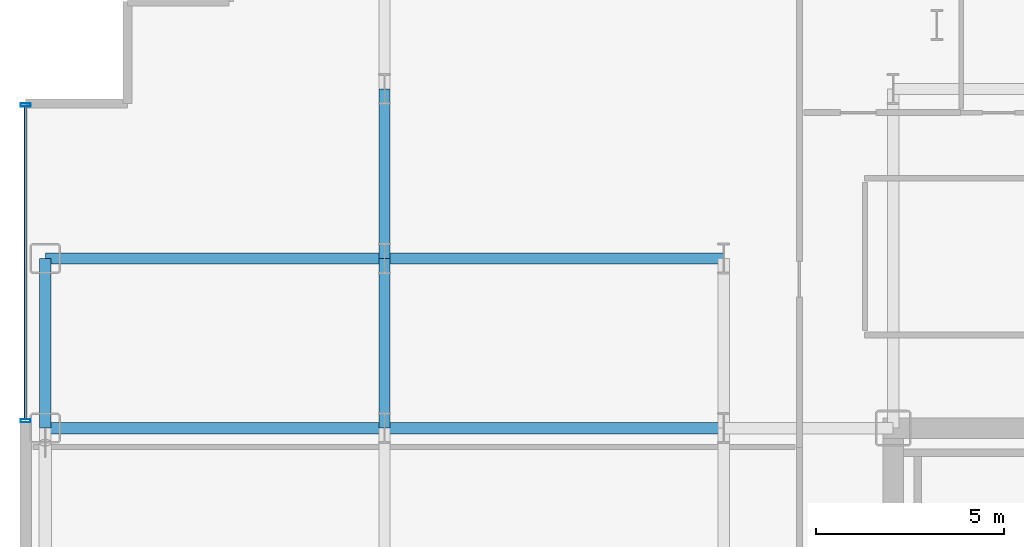
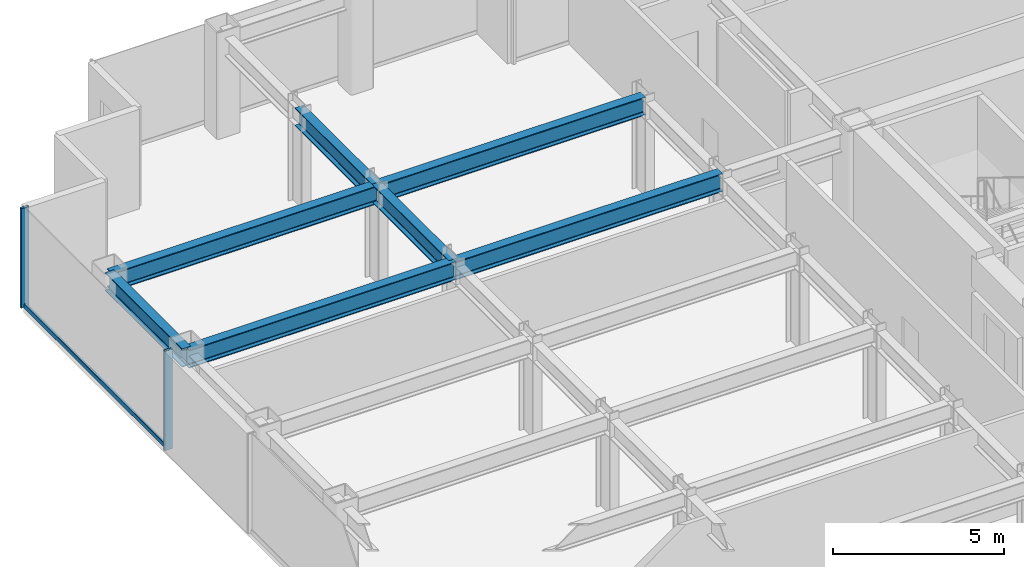
# One storey, part 12 of 26: 7 beams, 3 members, 1 element without a shape of its own.
"""IFC4 building model written with IfcOpenShell, lengths in metres."""

from ifc_helpers import new_model, si_unit, direction, frame, origin, origin_2d, place, context, subcontext, project, spatial, hollow_rectangle, i_section, extrude, source, transform, mapped, material, layer, layer_set, material_profile, profile_set, type_object, element, aggregate, save


model = new_model("IFC4")

# Units and contexts
model_context = context("Model", 3, precision=1e-05, world=origin(), true_north=direction((0.0, 1.0)))
body_context = subcontext(model_context, "Body", "Model", "MODEL_VIEW")
ifc_project = project(units=[si_unit("LENGTHUNIT", "METRE"), si_unit("AREAUNIT", "SQUARE_METRE"), si_unit("VOLUMEUNIT", "CUBIC_METRE"), si_unit("PLANEANGLEUNIT", "RADIAN"), si_unit("MASSUNIT", "GRAM", prefix="KILO")], contexts=[model_context])

# Site, building, storey
site_placement = place(None, origin())
site = spatial("IfcSite", under=ifc_project, at=site_placement, CompositionType="ELEMENT")
building_placement = place(site_placement, origin())
building = spatial("IfcBuilding", under=site, at=building_placement, Name="Nefas-Gora Pilgrimage Tower", CompositionType="ELEMENT")
storey_placement = place(building_placement, frame((0.0, 0.0, 171.60009765625)))
storey = spatial("IfcBuildingStorey", under=building, at=storey_placement, Name="L42", CompositionType="ELEMENT", Elevation=171.60009765625)

# Beams
ifc_material_1 = material(Name="Steel S355", Category="steel")
ifc_material_profile_1 = material_profile(ifc_material_1, i_section(OverallWidth=0.300048828125, OverallDepth=0.64990234375, WebThickness=0.01611328125, FlangeThickness=0.031005859375, FilletRadius=0.027099609375, at=origin_2d()), Name="HEB 650")
ifc_profile_set_1 = profile_set([ifc_material_profile_1], Name="Steel S355")
beam_type_1 = type_object("IfcBeamType", Name="BM-SPN-HEB500", PredefinedType="SPANDREL", material=ifc_profile_set_1)
shared_shape_1 = source(origin(), body_context, "Body", "SweptSolid", [
    extrude(i_section(OverallWidth=0.300048828125, OverallDepth=0.64990234375, WebThickness=0.01611328125, FlangeThickness=0.031005859375, FilletRadius=0.027099609375, at=origin_2d()), origin(), (0.0, 0.0, 1.0), 4.5),
])
beam_placement = place(storey_placement, frame((-33.75, 9.0, 3.224853515625), z_axis=(0.0, 1.0, 0.0), x_axis=(-1.0, 0.0, 0.0)))
element("IfcBeam", 1, at=beam_placement, inside=storey, type_object=beam_type_1, Name="L42 SP-02 beam", PredefinedType="SPANDREL", context=body_context, shape_type="MappedRepresentation", body=[
    mapped(shared_shape_1, transform((0.0, 0.0, 0.0), x_axis=(1.0, 0.0, 0.0), y_axis=(0.0, 1.0, 0.0), z_axis=(0.0, 0.0, 1.0), scale=1.0)),
])
ifc_material_profile_2 = material_profile(ifc_material_1, i_section(OverallWidth=0.300048828125, OverallDepth=0.64990234375, WebThickness=0.01611328125, FlangeThickness=0.031005859375, FilletRadius=0.027099609375, at=origin_2d()), Name="HEB 650")
ifc_profile_set_2 = profile_set([ifc_material_profile_2], Name="Steel S355")
beam_type_2 = type_object("IfcBeamType", Name="BM-GIR-HEB650", PredefinedType="BEAM", material=ifc_profile_set_2)
shared_shape_2 = source(origin(), body_context, "Body", "SweptSolid", [
    extrude(i_section(OverallWidth=0.300048828125, OverallDepth=0.64990234375, WebThickness=0.01611328125, FlangeThickness=0.031005859375, FilletRadius=0.027099609375, at=origin_2d()), origin(), (0.0, 0.0, 1.0), 9.0),
])
for number, where, z_axis, x_axis, name in (
    (2, (-33.75, 9.0, 3.224853515625), (1.0, 0.0, 0.0), (0.0, 1.0, 0.0), "L42 G-03 beam"),
    (3, (-33.75, 13.5, 3.224853515625), (1.0, 0.0, 0.0), (0.0, 1.0, 0.0), "L42 G-03 beam"),
    (4, (-24.75, 9.0, 3.224853515625), (1.0, 0.0, 0.0), (0.0, 1.0, 0.0), "L42 G-03 beam"),
    (5, (-24.75, 13.5, 3.224853515625), (1.0, 0.0, 0.0), (0.0, 1.0, 0.0), "L42 G-03 beam"),
):
    element("IfcBeam", number, at=place(storey_placement, frame(where, z_axis=z_axis, x_axis=x_axis)), inside=storey, type_object=beam_type_2, Name=name, PredefinedType="BEAM", context=body_context, shape_type="MappedRepresentation", body=[
        mapped(shared_shape_2, transform((0.0, 0.0, 0.0), x_axis=(1.0, 0.0, 0.0), y_axis=(0.0, 1.0, 0.0), z_axis=(0.0, 0.0, 1.0), scale=1.0)),
    ])
shared_shape_3 = source(origin(), body_context, "Body", "SweptSolid", [
    extrude(i_section(OverallWidth=0.300048828125, OverallDepth=0.64990234375, WebThickness=0.01611328125, FlangeThickness=0.031005859375, FilletRadius=0.027099609375, at=origin_2d()), origin(), (0.0, 0.0, 1.0), 4.5),
])
for number, where, z_axis, x_axis, name in (
    (6, (-24.75, 9.0, 3.224853515625), (0.0, 1.0, 0.0), (-1.0, 0.0, 0.0), "L42 G-03 beam"),
    (7, (-24.75, 13.5, 3.224853515625), (0.0, 1.0, 0.0), (-1.0, 0.0, 0.0), "L42 G-03 beam"),
):
    element("IfcBeam", number, at=place(storey_placement, frame(where, z_axis=z_axis, x_axis=x_axis)), inside=storey, type_object=beam_type_2, Name=name, PredefinedType="BEAM", context=body_context, shape_type="MappedRepresentation", body=[
        mapped(shared_shape_3, transform((0.0, 0.0, 0.0), x_axis=(1.0, 0.0, 0.0), y_axis=(0.0, 1.0, 0.0), z_axis=(0.0, 0.0, 1.0), scale=1.0)),
    ])

# Curtain wall, members
ifc_material_2 = material(Name="Dark ceramic-fritted solar-control aluminium-glass curtain wall", Category="aluminium")
ifc_layer = layer(ifc_material_2, 0.219970703125)
ifc_layer_set = layer_set([ifc_layer], Name="Dark ceramic-fritted solar-control aluminium-glass curtain wall")
curtain_wall_type = type_object("IfcCurtainWallType", Name="CW-SYS-3", PredefinedType="NOTDEFINED", material=ifc_layer_set)
curtain_wall_placement = place(storey_placement, origin())
curtain_wall = element("IfcCurtainWall", 8, at=curtain_wall_placement, inside=storey, type_object=curtain_wall_type, Name="L42 Unitised Curtain Wall CW3", PredefinedType="NOTDEFINED")
ifc_material_3 = material(Name="Anodised architectural aluminium", Category="aluminium")
ifc_material_profile_3 = material_profile(ifc_material_3, hollow_rectangle(XDim=0.080078125, YDim=0.159912109375, WallThickness=0.00439453125, InnerFilletRadius=0.00439453125, OuterFilletRadius=0.009033203125, at=origin_2d()), Name="ALU TRANSOM 80x160")
ifc_profile_set_3 = profile_set([ifc_material_profile_3], Name="Anodised architectural aluminium")
member_type_1 = type_object("IfcMemberType", Name="CWM-TRN-3", PredefinedType="USERDEFINED", material=ifc_profile_set_3)
shared_shape_4 = source(origin(), body_context, "Body", "SweptSolid", [
    extrude(hollow_rectangle(XDim=0.080078125, YDim=0.159912109375, WallThickness=0.00439453125, InnerFilletRadius=0.00439453125, OuterFilletRadius=0.009033203125, at=origin_2d()), origin(), (0.0, 0.0, 1.0), 8.2900390625),
])
member_1_placement = place(storey_placement, frame((-34.27001953125, 17.530029296875, 0.0498046875), z_axis=(0.0, -1.0, 0.0), x_axis=(1.0, 0.0, 0.0)))
member_1 = element("IfcMember", 9, at=member_1_placement, type_object=member_type_1, Name="CW3 Spandrel Transom", ObjectType="TRANSOM", PredefinedType="USERDEFINED", context=body_context, shape_type="MappedRepresentation", body=[
    mapped(shared_shape_4, transform((0.0, 0.0, 0.0), x_axis=(1.0, 0.0, 0.0), y_axis=(0.0, 1.0, 0.0), z_axis=(0.0, 0.0, 1.0), scale=1.0)),
])
ifc_material_profile_4 = material_profile(ifc_material_3, hollow_rectangle(XDim=0.090087890625, YDim=0.260009765625, WallThickness=0.006103515625, InnerFilletRadius=0.006103515625, OuterFilletRadius=0.011962890625, at=origin_2d()), Name="ALU MULLION 90x260")
ifc_profile_set_4 = profile_set([ifc_material_profile_4], Name="Anodised architectural aluminium")
member_type_2 = type_object("IfcMemberType", Name="CWM-MUL-3", PredefinedType="MULLION", material=ifc_profile_set_4)
shared_shape_5 = source(origin(), body_context, "Body", "SweptSolid", [
    extrude(hollow_rectangle(XDim=0.090087890625, YDim=0.260009765625, WallThickness=0.006103515625, InnerFilletRadius=0.006103515625, OuterFilletRadius=0.011962890625, at=origin_2d()), origin(), (0.0, 0.0, 1.0), 3.5498046875),
])
member_2_placement = place(storey_placement, frame((-34.27001953125, 17.574951171875, 0.0), z_axis=(0.0, 0.0, 1.0), x_axis=(0.0, -1.0, 0.0)))
member_2 = element("IfcMember", 10, at=member_2_placement, type_object=member_type_2, Name="CW3 Mullion 1", PredefinedType="MULLION", context=body_context, shape_type="MappedRepresentation", body=[
    mapped(shared_shape_5, transform((0.0, 0.0, 0.0), x_axis=(1.0, 0.0, 0.0), y_axis=(0.0, 1.0, 0.0), z_axis=(0.0, 0.0, 1.0), scale=1.0)),
])
member_3_placement = place(storey_placement, frame((-34.27001953125, 9.195068359375, 0.0), z_axis=(0.0, 0.0, 1.0), x_axis=(0.0, -1.0, 0.0)))
member_3 = element("IfcMember", 11, at=member_3_placement, type_object=member_type_2, Name="CW3 Mullion 2", PredefinedType="MULLION", context=body_context, shape_type="MappedRepresentation", body=[
    mapped(shared_shape_5, transform((0.0, 0.0, 0.0), x_axis=(1.0, 0.0, 0.0), y_axis=(0.0, 1.0, 0.0), z_axis=(0.0, 0.0, 1.0), scale=1.0)),
])
aggregate(curtain_wall, [member_2, member_3, member_1])

save(model, "model.ifc")
